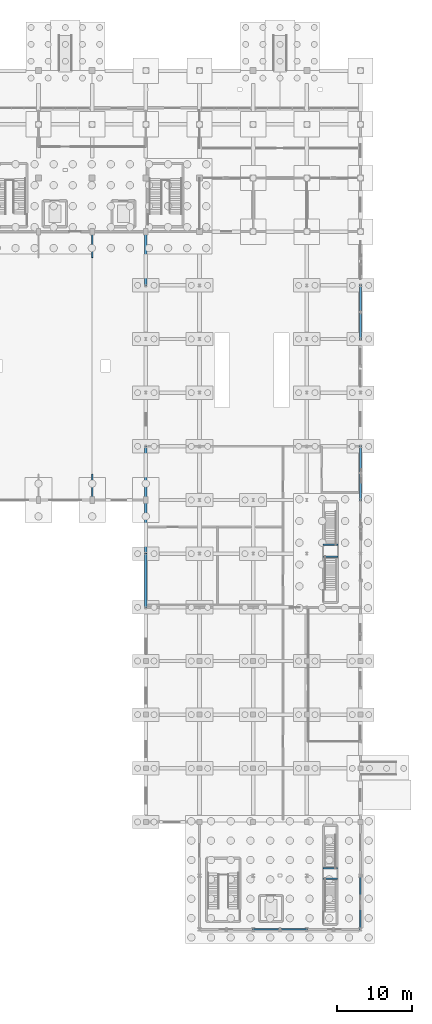
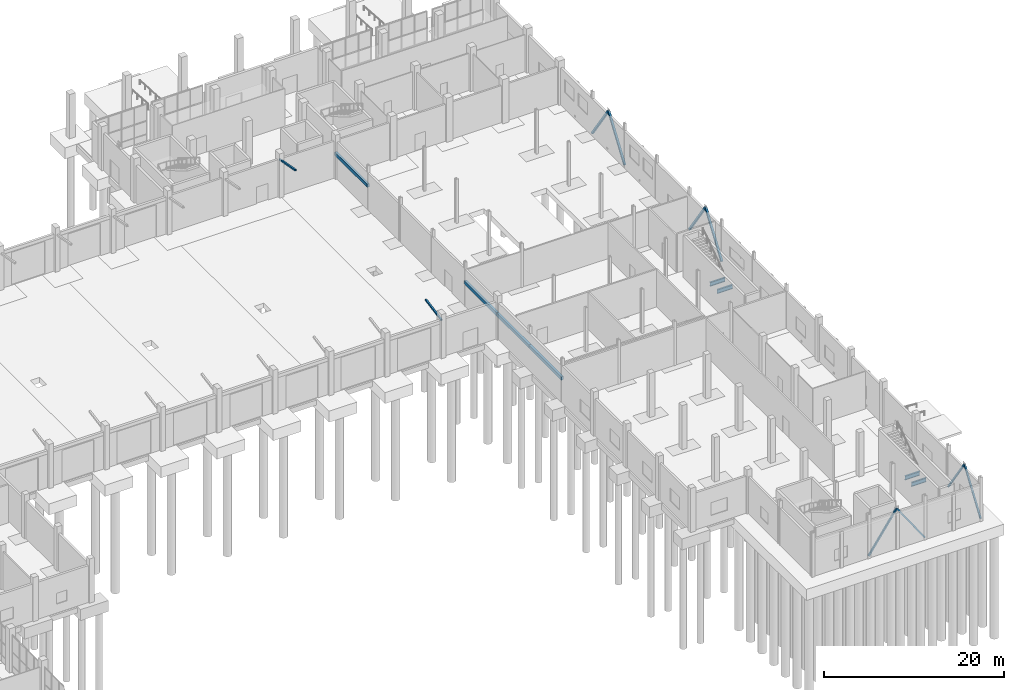
# One storey, part 19 of 45: 10 members, 8 beams.
"""IFC4 building model written with IfcOpenShell, lengths in metres."""

from ifc_helpers import new_model, si_unit, direction, frame, origin, origin_2d, place, context, subcontext, project, spatial, rectangle, hollow_rectangle, i_section, extrude, material, material_profile, profile_set, type_object, element, save


model = new_model("IFC4")

# Units and contexts
model_context = context("Model", 3, precision=1e-05, world=origin(), true_north=direction((0.0, 1.0)))
body_context = subcontext(model_context, "Body", "Model", "MODEL_VIEW")
ifc_project = project(units=[si_unit("LENGTHUNIT", "METRE"), si_unit("AREAUNIT", "SQUARE_METRE"), si_unit("VOLUMEUNIT", "CUBIC_METRE"), si_unit("PLANEANGLEUNIT", "RADIAN"), si_unit("MASSUNIT", "GRAM", prefix="KILO")], contexts=[model_context])

# Site, building, storey
site_placement = place(None, origin())
site = spatial("IfcSite", under=ifc_project, at=site_placement, CompositionType="ELEMENT")
building_placement = place(site_placement, origin())
building = spatial("IfcBuilding", under=site, at=building_placement, Name="Yarey Park Central Fire Station", CompositionType="ELEMENT")
storey_placement = place(building_placement, origin())
storey = spatial("IfcBuildingStorey", under=building, at=storey_placement, Name="L01", CompositionType="ELEMENT", Elevation=0.0)

# Beams
ifc_material_1 = material(Name="Steel ASTM A992 Gr. 50", Category="steel")
ifc_material_profile_1 = material_profile(ifc_material_1, i_section(OverallWidth=0.208984375, OverallDepth=0.532958984375, WebThickness=0.01025390625, FlangeThickness=0.015625, at=origin_2d()), Name="W530x92")
ifc_profile_set_1 = profile_set([ifc_material_profile_1], Name="Steel ASTM A992 Gr. 50")
beam_type_1 = type_object("IfcBeamType", Name="STR_BM_W530", PredefinedType="BEAM", material=ifc_profile_set_1)
for number, where, z_axis, x_axis, name in (
    (1, (160.60009765625, 6.780029296875, 2.548583984375), (1.0, 0.0, 0.0), (0.0, 1.0, 0.0), "BM_LND_C6_L01_S"),
    (2, (160.60009765625, 8.219970703125, 2.548583984375), (1.0, 0.0, 0.0), (0.0, 1.0, 0.0), "BM_LND_C6_L01_N"),
):
    element("IfcBeam", number, at=place(storey_placement, frame(where, z_axis=z_axis, x_axis=x_axis)), inside=storey, type_object=beam_type_1, Name=name, PredefinedType="BEAM", context=body_context, shape_type="SweptSolid", body=[
        extrude(i_section(OverallWidth=0.208984375, OverallDepth=0.532958984375, WebThickness=0.01025390625, FlangeThickness=0.015625, at=origin_2d()), origin(), (0.0, 0.0, 1.0), 1.89990234375),
    ])
for number, where, z_axis, x_axis, name in (
    (3, (160.60009765625, 49.97998046875, 2.548583984375), (1.0, 0.0, 0.0), (0.0, 1.0, 0.0), "BM_LND_C7_L01_S"),
    (4, (160.60009765625, 51.6201171875, 2.548583984375), (1.0, 0.0, 0.0), (0.0, 1.0, 0.0), "BM_LND_C7_L01_N"),
):
    element("IfcBeam", number, at=place(storey_placement, frame(where, z_axis=z_axis, x_axis=x_axis)), inside=storey, type_object=beam_type_1, Name=name, PredefinedType="BEAM", context=body_context, shape_type="SweptSolid", body=[
        extrude(i_section(OverallWidth=0.208984375, OverallDepth=0.532958984375, WebThickness=0.01025390625, FlangeThickness=0.015625, at=origin_2d()), origin(), (0.0, 0.0, 1.0), 1.949951171875),
    ])

# Members
ifc_material_2 = material(Name="Steel ASTM A500 Gr. C", Category="steel")
ifc_material_profile_2 = material_profile(ifc_material_2, hollow_rectangle(XDim=0.199951171875, YDim=0.199951171875, WallThickness=0.010009765625, at=origin_2d()), Name="HSS 200x200x10")
ifc_profile_set_2 = profile_set([ifc_material_profile_2], Name="Steel ASTM A500 Gr. C")
member_type_1 = type_object("IfcMemberType", Name="STR_CBF_HSS200", PredefinedType="BRACE", material=ifc_profile_set_2)
for number, where, z_axis, x_axis, name in (
    (5, (165.60009765625, 0.0, 0.25), (0.0, 0.569224029849, 0.822182463838), (-1.0, 0.0, 0.0), "CBF_DT_E1_L01"),
    (6, (165.60009765625, 7.199951171875, 0.25), (0.0, -0.569197934703, 0.822200529755), (1.0, 0.0, 0.0), "CBF_DT_E2_L01"),
    (7, (151.199951171875, 0.0, 0.25), (0.569224029849, 0.0, 0.822182463838), (0.0, 1.0, 0.0), "CBF_DT_S1_L01"),
    (8, (158.39990234375, 0.0, 0.25), (-0.569197934703, 0.0, 0.822200529755), (0.0, -1.0, 0.0), "CBF_DT_S2_L01"),
):
    element("IfcMember", number, at=place(storey_placement, frame(where, z_axis=z_axis, x_axis=x_axis)), inside=storey, type_object=member_type_1, Name=name, PredefinedType="BRACE", context=body_context, shape_type="SweptSolid", body=[
        extrude(hollow_rectangle(XDim=0.199951171875, YDim=0.199951171875, WallThickness=0.010009765625, at=origin_2d()), origin(), (0.0, 0.0, 1.0), 6.324462890625),
    ])
ifc_material_profile_3 = material_profile(ifc_material_2, hollow_rectangle(XDim=0.199951171875, YDim=0.199951171875, WallThickness=0.010009765625, at=origin_2d()), Name="HSS 200x200x10")
ifc_profile_set_3 = profile_set([ifc_material_profile_3], Name="Steel ASTM A500 Gr. C")
member_type_2 = type_object("IfcMemberType", Name="STR_CBF_HSS200I", PredefinedType="BRACE", material=ifc_profile_set_3)
for number, where, z_axis, x_axis, name in (
    (9, (129.60009765625, 57.60009765625, 4.89990234375), (0.0, 0.983181348138, 0.18263197057), (-1.0, 0.0, 0.0), "EAVE_STRUT_S_10"),
    (10, (129.60009765625, 93.60009765625, 4.89990234375), (0.0, -0.983181348138, 0.18263197057), (1.0, 0.0, 0.0), "EAVE_STRUT_N_10"),
):
    element("IfcMember", number, at=place(storey_placement, frame(where, z_axis=z_axis, x_axis=x_axis)), inside=storey, type_object=member_type_2, Name=name, PredefinedType="BRACE", context=body_context, shape_type="SweptSolid", body=[
        extrude(hollow_rectangle(XDim=0.199951171875, YDim=0.199951171875, WallThickness=0.010009765625, at=origin_2d()), origin(), (0.0, 0.0, 1.0), 3.559814453125),
    ])
ifc_material_profile_4 = material_profile(ifc_material_2, hollow_rectangle(XDim=0.25, YDim=0.25, WallThickness=0.012451171875, at=origin_2d()), Name="HSS 250x250x12.5")
ifc_profile_set_4 = profile_set([ifc_material_profile_4], Name="Steel ASTM A500 Gr. C")
member_type_3 = type_object("IfcMemberType", Name="STR_CBF_HSS250", PredefinedType="BRACE", material=ifc_profile_set_4)
for number, where, z_axis, x_axis, name in (
    (11, (165.60009765625, 57.60009765625, 0.25), (0.0, 0.569197934703, 0.822200529755), (-1.0, 0.0, 0.0), "CBF_V5_L01_57_1"),
    (12, (165.60009765625, 64.800048828125, 0.25), (0.0, -0.569224029849, 0.822182463838), (1.0, 0.0, 0.0), "CBF_V5_L01_57_2"),
    (13, (165.60009765625, 79.199951171875, 0.25), (0.0, 0.569224029849, 0.822182463838), (-1.0, 0.0, 0.0), "CBF_V5_L01_79_1"),
    (14, (165.60009765625, 86.39990234375, 0.25), (0.0, -0.569197934703, 0.822200529755), (1.0, 0.0, 0.0), "CBF_V5_L01_79_2"),
):
    element("IfcMember", number, at=place(storey_placement, frame(where, z_axis=z_axis, x_axis=x_axis)), inside=storey, type_object=member_type_3, Name=name, PredefinedType="BRACE", context=body_context, shape_type="SweptSolid", body=[
        extrude(hollow_rectangle(XDim=0.25, YDim=0.25, WallThickness=0.012451171875, at=origin_2d()), origin(), (0.0, 0.0, 1.0), 6.324462890625),
    ])

# Beams
ifc_material_3 = material(Name="Precast concrete C40/50", Category="concrete")
ifc_material_profile_5 = material_profile(ifc_material_3, rectangle(XDim=0.300048828125, YDim=0.449951171875, at=origin_2d()), Name="PC 300x450")
ifc_profile_set_5 = profile_set([ifc_material_profile_5], Name="Precast concrete C40/50")
beam_type_2 = type_object("IfcBeamType", Name="STR_LIN_PC450I", PredefinedType="LINTEL", material=ifc_profile_set_5)
beam_1_placement = place(storey_placement, frame((136.800048828125, 43.199951171875, 3.199951171875), z_axis=(0.0, 1.0, 0.0), x_axis=(-1.0, 0.0, 0.0)))
element("IfcBeam", 15, at=beam_1_placement, inside=storey, type_object=beam_type_2, Name="LIN_INT_W_1", PredefinedType="LINTEL", context=body_context, shape_type="SweptSolid", body=[
    extrude(rectangle(XDim=0.300048828125, YDim=0.449951171875, at=origin_2d()), origin(), (0.0, 0.0, 1.0), 7.199951171875),
])
beam_2_placement = place(storey_placement, frame((136.800048828125, 50.39990234375, 3.199951171875), z_axis=(0.0, 1.0, 0.0), x_axis=(-1.0, 0.0, 0.0)))
element("IfcBeam", 16, at=beam_2_placement, inside=storey, type_object=beam_type_2, Name="LIN_INT_W_2", PredefinedType="LINTEL", context=body_context, shape_type="SweptSolid", body=[
    extrude(rectangle(XDim=0.300048828125, YDim=0.449951171875, at=origin_2d()), origin(), (0.0, 0.0, 1.0), 7.2001953125),
])
beam_3_placement = place(storey_placement, frame((136.800048828125, 57.60009765625, 3.199951171875), z_axis=(0.0, 1.0, 0.0), x_axis=(-1.0, 0.0, 0.0)))
element("IfcBeam", 17, at=beam_3_placement, inside=storey, type_object=beam_type_2, Name="LIN_INT_W_3", PredefinedType="LINTEL", context=body_context, shape_type="SweptSolid", body=[
    extrude(rectangle(XDim=0.300048828125, YDim=0.449951171875, at=origin_2d()), origin(), (0.0, 0.0, 1.0), 7.199951171875),
])
beam_4_placement = place(storey_placement, frame((136.800048828125, 86.39990234375, 3.199951171875), z_axis=(0.0, 1.0, 0.0), x_axis=(-1.0, 0.0, 0.0)))
element("IfcBeam", 18, at=beam_4_placement, inside=storey, type_object=beam_type_2, Name="LIN_INT_W_4", PredefinedType="LINTEL", context=body_context, shape_type="SweptSolid", body=[
    extrude(rectangle(XDim=0.300048828125, YDim=0.449951171875, at=origin_2d()), origin(), (0.0, 0.0, 1.0), 7.2001953125),
])

save(model, "model.ifc")
